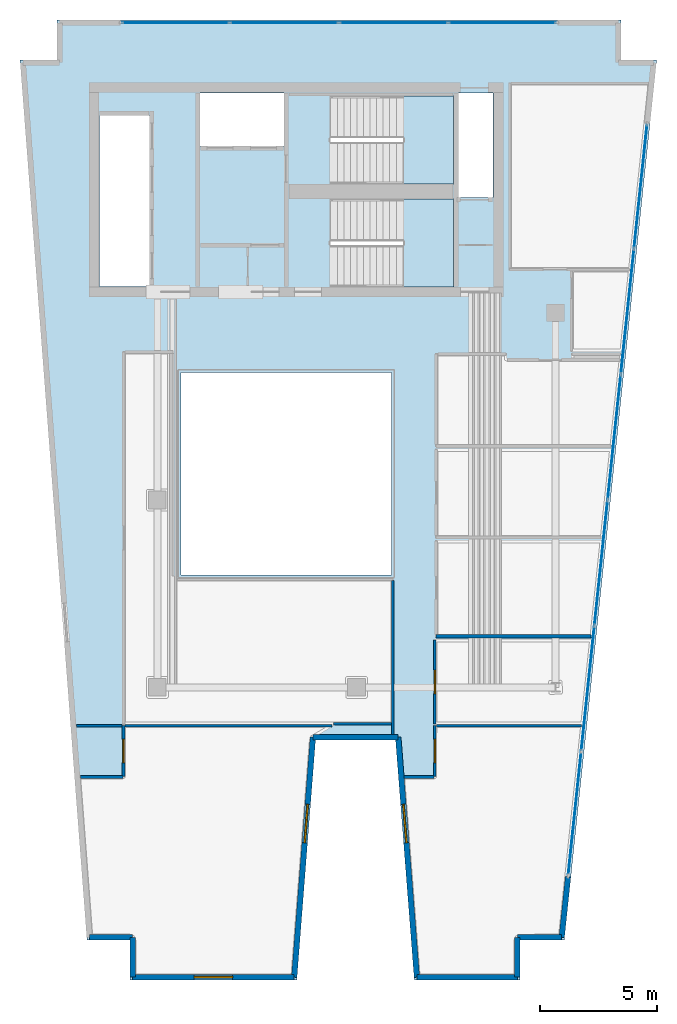
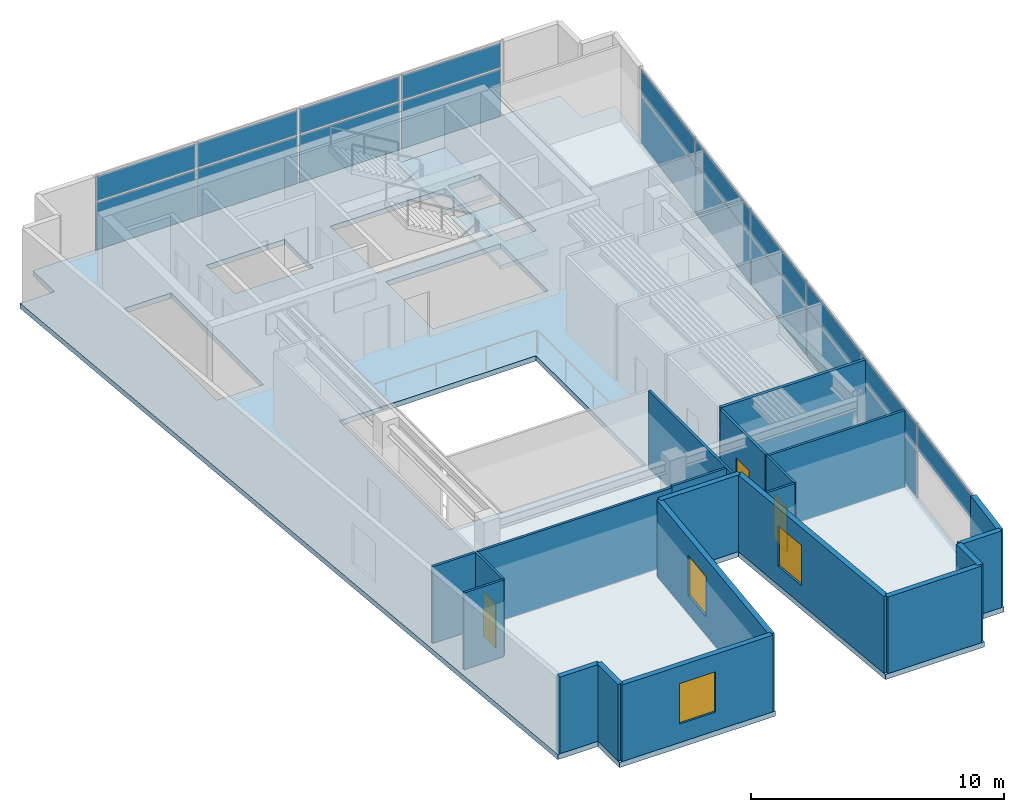
# One storey, part 2 of 6: 21 walls, 19 plates, 3 doors, 3 slabs, 3 windows, 6 openings, 4 elements without a shape of their own.
"""IFC4 building model written with IfcOpenShell, lengths in metres."""

from ifc_helpers import new_model, si_unit, direction, frame, frame_2d, origin, origin_2d, place, context, subcontext, project, spatial, polyline, rectangle, outline, extrude, material, layer, layer_set, type_object, element, fill, aggregate, save


model = new_model("IFC4")

# Units and contexts
model_context = context("Model", 3, precision=1e-05, world=origin(), true_north=direction((0.0, 1.0)))
body_context = subcontext(model_context, "Body", "Model", "MODEL_VIEW")
ifc_project = project(units=[si_unit("LENGTHUNIT", "METRE"), si_unit("AREAUNIT", "SQUARE_METRE"), si_unit("VOLUMEUNIT", "CUBIC_METRE"), si_unit("PLANEANGLEUNIT", "RADIAN"), si_unit("MASSUNIT", "GRAM", prefix="KILO")], contexts=[model_context])

# Site, building, storey
site_placement = place(None, origin())
site = spatial("IfcSite", under=ifc_project, at=site_placement, CompositionType="ELEMENT")
building_placement = place(site_placement, origin())
building = spatial("IfcBuilding", under=site, at=building_placement, Name="Caeloran Harvest Quay", CompositionType="ELEMENT")
storey_placement = place(building_placement, frame((0.0, 0.0, 280.39990234375)))
storey = spatial("IfcBuildingStorey", under=building, at=storey_placement, Name="L67", CompositionType="ELEMENT", Elevation=280.39990234375)

# Curtain wall, plates
ifc_material_1 = material(Name="Aluminium 6063-T6 and Low-E Glazing", Category="aluminium")
ifc_layer_1 = layer(ifc_material_1, 0.219970703125, Name="Aluminium 6063-T6 and Low-E Glazing")
ifc_layer_set_1 = layer_set([ifc_layer_1], Name="Aluminium 6063-T6 and Low-E Glazing")
curtain_wall_type = type_object("IfcCurtainWallType", Name="CW-SYS-CW-5", PredefinedType="USERDEFINED", material=ifc_layer_set_1)
curtain_wall_1_placement = place(storey_placement, origin())
curtain_wall_1 = element("IfcCurtainWall", 1, at=curtain_wall_1_placement, inside=storey, type_object=curtain_wall_type, Name="L67 Unitised Curtain Wall CW-5 Run 6", ObjectType="CURTAIN_WALL", PredefinedType="USERDEFINED")
ifc_material_2 = material(Name="Low-E Double Glazed Vision Glass Unit", Category="glass")
ifc_layer_2 = layer(ifc_material_2, 0.035888671875, Name="Low-E Double Glazed Vision Glass Unit")
ifc_layer_set_2 = layer_set([ifc_layer_2], Name="Low-E Double Glazed Vision Glass Unit")
plate_type = type_object("IfcPlateType", Name="CW-VISION-PANEL", PredefinedType="CURTAIN_PANEL", material=ifc_layer_set_2)
plate_1_placement = place(storey_placement, frame((9.2724609375, 43.3798828125, 0.080078125), z_axis=(0.0, 0.0, 1.0), x_axis=(1.0, 0.0, 0.0)))
plate_1 = element("IfcPlate", 2, at=plate_1_placement, type_object=plate_type, Name="CW-5 panel 1.1", PredefinedType="CURTAIN_PANEL", context=body_context, shape_type="SweptSolid", body=[
    extrude(rectangle(XDim=4.544921875, YDim=0.035888671875, at=origin_2d()), origin(), (0.0, 0.0, 1.0), 2.280029296875),
])
plate_2_placement = place(storey_placement, frame((9.2724609375, 43.3798828125, 2.43994140625), z_axis=(0.0, 0.0, 1.0), x_axis=(1.0, 0.0, 0.0)))
plate_2 = element("IfcPlate", 3, at=plate_2_placement, type_object=plate_type, Name="CW-5 panel 1.2", PredefinedType="CURTAIN_PANEL", context=body_context, shape_type="SweptSolid", body=[
    extrude(rectangle(XDim=4.544921875, YDim=0.035888671875, at=origin_2d()), origin(), (0.0, 0.0, 1.0), 1.179931640625),
])
plate_3_placement = place(storey_placement, frame((13.91748046875, 43.3798828125, 0.080078125), z_axis=(0.0, 0.0, 1.0), x_axis=(1.0, 0.0, 0.0)))
plate_3 = element("IfcPlate", 4, at=plate_3_placement, type_object=plate_type, Name="CW-5 panel 2.1", PredefinedType="CURTAIN_PANEL", context=body_context, shape_type="SweptSolid", body=[
    extrude(rectangle(XDim=4.5849609375, YDim=0.035888671875, at=origin_2d()), origin(), (0.0, 0.0, 1.0), 2.280029296875),
])
plate_4_placement = place(storey_placement, frame((13.91748046875, 43.3798828125, 2.43994140625), z_axis=(0.0, 0.0, 1.0), x_axis=(1.0, 0.0, 0.0)))
plate_4 = element("IfcPlate", 5, at=plate_4_placement, type_object=plate_type, Name="CW-5 panel 2.2", PredefinedType="CURTAIN_PANEL", context=body_context, shape_type="SweptSolid", body=[
    extrude(rectangle(XDim=4.5849609375, YDim=0.035888671875, at=origin_2d()), origin(), (0.0, 0.0, 1.0), 1.179931640625),
])
plate_5_placement = place(storey_placement, frame((18.58251953125, 43.3798828125, 0.080078125), z_axis=(0.0, 0.0, 1.0), x_axis=(1.0, 0.0, 0.0)))
plate_5 = element("IfcPlate", 6, at=plate_5_placement, type_object=plate_type, Name="CW-5 panel 3.1", PredefinedType="CURTAIN_PANEL", context=body_context, shape_type="SweptSolid", body=[
    extrude(rectangle(XDim=4.5849609375, YDim=0.035888671875, at=origin_2d()), origin(), (0.0, 0.0, 1.0), 2.280029296875),
])
plate_6_placement = place(storey_placement, frame((18.58251953125, 43.3798828125, 2.43994140625), z_axis=(0.0, 0.0, 1.0), x_axis=(1.0, 0.0, 0.0)))
plate_6 = element("IfcPlate", 7, at=plate_6_placement, type_object=plate_type, Name="CW-5 panel 3.2", PredefinedType="CURTAIN_PANEL", context=body_context, shape_type="SweptSolid", body=[
    extrude(rectangle(XDim=4.5849609375, YDim=0.035888671875, at=origin_2d()), origin(), (0.0, 0.0, 1.0), 1.179931640625),
])
plate_7_placement = place(storey_placement, frame((23.2275390625, 43.3798828125, 0.080078125), z_axis=(0.0, 0.0, 1.0), x_axis=(1.0, 0.0, 0.0)))
plate_7 = element("IfcPlate", 8, at=plate_7_placement, type_object=plate_type, Name="CW-5 panel 4.1", PredefinedType="CURTAIN_PANEL", context=body_context, shape_type="SweptSolid", body=[
    extrude(rectangle(XDim=4.544921875, YDim=0.035888671875, at=origin_2d()), origin(), (0.0, 0.0, 1.0), 2.280029296875),
])
plate_8_placement = place(storey_placement, frame((23.2275390625, 43.3798828125, 2.43994140625), z_axis=(0.0, 0.0, 1.0), x_axis=(1.0, 0.0, 0.0)))
plate_8 = element("IfcPlate", 9, at=plate_8_placement, type_object=plate_type, Name="CW-5 panel 4.2", PredefinedType="CURTAIN_PANEL", context=body_context, shape_type="SweptSolid", body=[
    extrude(rectangle(XDim=4.544921875, YDim=0.035888671875, at=origin_2d()), origin(), (0.0, 0.0, 1.0), 1.179931640625),
])
aggregate(curtain_wall_1, [plate_1, plate_2, plate_3, plate_4, plate_5, plate_6, plate_7, plate_8])

curtain_wall_2_placement = place(storey_placement, origin())
curtain_wall_2 = element("IfcCurtainWall", 10, at=curtain_wall_2_placement, inside=storey, type_object=curtain_wall_type, Name="L67 Unitised Curtain Wall CW-5 Run 9", ObjectType="CURTAIN_WALL", PredefinedType="USERDEFINED")
plate_9_placement = place(storey_placement, frame((29.132568359375, 36.391845703125, 0.080078125), z_axis=(0.0, 0.0, 1.0), x_axis=(-0.104460096251, -0.994529078655, 0.0)))
plate_9 = element("IfcPlate", 11, at=plate_9_placement, type_object=plate_type, Name="CW-5 panel 1.1", PredefinedType="CURTAIN_PANEL", context=body_context, shape_type="SweptSolid", body=[
    extrude(rectangle(XDim=5.274169921875, YDim=0.035888671875, at=origin_2d()), origin(), (0.0, 0.0, 1.0), 2.280029296875),
])
plate_10_placement = place(storey_placement, frame((29.132568359375, 36.391845703125, 2.43994140625), z_axis=(0.0, 0.0, 1.0), x_axis=(-0.104460096251, -0.994529078655, 0.0)))
plate_10 = element("IfcPlate", 12, at=plate_10_placement, type_object=plate_type, Name="CW-5 panel 1.2", PredefinedType="CURTAIN_PANEL", context=body_context, shape_type="SweptSolid", body=[
    extrude(rectangle(XDim=5.274169921875, YDim=0.035888671875, at=origin_2d()), origin(), (0.0, 0.0, 1.0), 1.179931640625),
])
plate_11_placement = place(storey_placement, frame((28.5712890625, 31.047119140625, 0.080078125), z_axis=(0.0, 0.0, 1.0), x_axis=(-0.104460096251, -0.994529078655, 0.0)))
plate_11 = element("IfcPlate", 13, at=plate_11_placement, type_object=plate_type, Name="CW-5 panel 2.1", PredefinedType="CURTAIN_PANEL", context=body_context, shape_type="SweptSolid", body=[
    extrude(rectangle(XDim=5.314208984375, YDim=0.035888671875, at=origin_2d()), origin(), (0.0, 0.0, 1.0), 2.280029296875),
])
plate_12_placement = place(storey_placement, frame((28.5712890625, 31.047119140625, 2.43994140625), z_axis=(0.0, 0.0, 1.0), x_axis=(-0.104460096251, -0.994529078655, 0.0)))
plate_12 = element("IfcPlate", 14, at=plate_12_placement, type_object=plate_type, Name="CW-5 panel 2.2", PredefinedType="CURTAIN_PANEL", context=body_context, shape_type="SweptSolid", body=[
    extrude(rectangle(XDim=5.314208984375, YDim=0.035888671875, at=origin_2d()), origin(), (0.0, 0.0, 1.0), 1.179931640625),
])
plate_13_placement = place(storey_placement, frame((28.0078125, 25.682373046875, 0.080078125), z_axis=(0.0, 0.0, 1.0), x_axis=(-0.104460096251, -0.994529078655, 0.0)))
plate_13 = element("IfcPlate", 15, at=plate_13_placement, type_object=plate_type, Name="CW-5 panel 3.1", PredefinedType="CURTAIN_PANEL", context=body_context, shape_type="SweptSolid", body=[
    extrude(rectangle(XDim=5.314208984375, YDim=0.035888671875, at=origin_2d()), origin(), (0.0, 0.0, 1.0), 2.280029296875),
])
plate_14_placement = place(storey_placement, frame((28.0078125, 25.682373046875, 2.43994140625), z_axis=(0.0, 0.0, 1.0), x_axis=(-0.104460096251, -0.994529078655, 0.0)))
plate_14 = element("IfcPlate", 16, at=plate_14_placement, type_object=plate_type, Name="CW-5 panel 3.2", PredefinedType="CURTAIN_PANEL", context=body_context, shape_type="SweptSolid", body=[
    extrude(rectangle(XDim=5.314208984375, YDim=0.035888671875, at=origin_2d()), origin(), (0.0, 0.0, 1.0), 1.179931640625),
])
plate_15_placement = place(storey_placement, frame((27.4443359375, 20.317626953125, 0.080078125), z_axis=(0.0, 0.0, 1.0), x_axis=(-0.104460096251, -0.994529078655, 0.0)))
plate_15 = element("IfcPlate", 17, at=plate_15_placement, type_object=plate_type, Name="CW-5 panel 4.1", PredefinedType="CURTAIN_PANEL", context=body_context, shape_type="SweptSolid", body=[
    extrude(rectangle(XDim=5.314208984375, YDim=0.035888671875, at=origin_2d()), origin(), (0.0, 0.0, 1.0), 2.280029296875),
])
plate_16_placement = place(storey_placement, frame((27.4443359375, 20.317626953125, 2.43994140625), z_axis=(0.0, 0.0, 1.0), x_axis=(-0.104460096251, -0.994529078655, 0.0)))
plate_16 = element("IfcPlate", 18, at=plate_16_placement, type_object=plate_type, Name="CW-5 panel 4.2", PredefinedType="CURTAIN_PANEL", context=body_context, shape_type="SweptSolid", body=[
    extrude(rectangle(XDim=5.314208984375, YDim=0.035888671875, at=origin_2d()), origin(), (0.0, 0.0, 1.0), 1.179931640625),
])
plate_17_placement = place(storey_placement, frame((26.880859375, 14.952880859375, 0.080078125), z_axis=(0.0, 0.0, 1.0), x_axis=(-0.104460096251, -0.994529078655, 0.0)))
plate_17 = element("IfcPlate", 19, at=plate_17_placement, type_object=plate_type, Name="CW-5 panel 5.1", PredefinedType="CURTAIN_PANEL", context=body_context, shape_type="SweptSolid", body=[
    extrude(rectangle(XDim=5.314208984375, YDim=0.035888671875, at=origin_2d()), origin(), (0.0, 0.0, 1.0), 2.280029296875),
])
plate_18_placement = place(storey_placement, frame((26.880859375, 14.952880859375, 2.43994140625), z_axis=(0.0, 0.0, 1.0), x_axis=(-0.104460096251, -0.994529078655, 0.0)))
plate_18 = element("IfcPlate", 20, at=plate_18_placement, type_object=plate_type, Name="CW-5 panel 5.2", PredefinedType="CURTAIN_PANEL", context=body_context, shape_type="SweptSolid", body=[
    extrude(rectangle(XDim=5.314208984375, YDim=0.035888671875, at=origin_2d()), origin(), (0.0, 0.0, 1.0), 1.179931640625),
])
plate_19_placement = place(storey_placement, frame((26.3193359375, 9.608154296875, 2.43994140625), z_axis=(0.0, 0.0, 1.0), x_axis=(-0.104460096251, -0.994529078655, 0.0)))
plate_19 = element("IfcPlate", 21, at=plate_19_placement, type_object=plate_type, Name="CW-5 panel 6.2", PredefinedType="CURTAIN_PANEL", context=body_context, shape_type="SweptSolid", body=[
    extrude(rectangle(XDim=5.274169921875, YDim=0.035888671875, at=origin_2d()), origin(), (0.0, 0.0, 1.0), 1.179931640625),
])
aggregate(curtain_wall_2, [plate_9, plate_10, plate_11, plate_12, plate_13, plate_14, plate_15, plate_16, plate_17, plate_18, plate_19])

# Slab
ifc_material_3 = material(Name="Concrete C50/60", Category="concrete")
ifc_layer_3 = layer(ifc_material_3, 0.25, Name="Concrete C50/60")
ifc_layer_set_3 = layer_set([ifc_layer_3], Name="Concrete C50/60")
slab_type_1 = type_object("IfcSlabType", Name="SLAB-FS-250", PredefinedType="FLOOR", material=ifc_layer_set_3)
slab_1_placement = place(storey_placement, frame((0.0, 0.0, -0.25)))
element("IfcSlab", 22, at=slab_1_placement, inside=storey, type_object=slab_type_1, Name="L67 Structural Floor Slab", PredefinedType="FLOOR", context=body_context, shape_type="SweptSolid", body=[
    extrude(outline(polyline([(7.318603515625, 2.5), (14.451416015625, 2.5), (15.25146484375, 12.75), (18.670166015625, 12.75), (19.47021484375, 2.5), (23.993408203125, 2.5), (23.993408203125, 4.199951171875), (25.8720703125, 4.199951171875), (29.8212890625, 41.800048828125), (28.300048828125, 41.800048828125), (28.300048828125, 43.5), (4.199951171875, 43.5), (4.199951171875, 41.800048828125), (2.62939453125, 41.800048828125), (5.4892578125, 4.199951171875), (7.318603515625, 4.199951171875), (7.318603515625, 2.5)]), holes=[polyline([(18.5, 28.449951171875), (18.5, 19.800048828125), (9.5, 19.800048828125), (9.5, 28.449951171875), (18.5, 28.449951171875)]), polyline([(15.89990234375, 32.10009765625), (15.89990234375, 35.85009765625), (21.14990234375, 35.85009765625), (21.14990234375, 32.10009765625), (15.89990234375, 32.10009765625)]), polyline([(8.159912109375, 32.1201171875), (6.02001953125, 32.1201171875), (6.02001953125, 39.419921875), (8.159912109375, 39.419921875), (8.159912109375, 32.1201171875)]), polyline([(22.830078125, 40.3798828125), (22.830078125, 35.919921875), (21.35009765625, 35.919921875), (21.35009765625, 40.3798828125), (22.830078125, 40.3798828125)]), polyline([(15.89990234375, 36.5), (15.89990234375, 40.25), (21.14990234375, 40.25), (21.14990234375, 36.5), (15.89990234375, 36.5)]), polyline([(13.89990234375, 38.1201171875), (10.320068359375, 38.1201171875), (10.320068359375, 40.3798828125), (13.89990234375, 40.3798828125), (13.89990234375, 38.1201171875)])]), origin(), (0.0, 0.0, 1.0), 0.25),
])

# Stair, slab
stair_type = type_object("IfcStairType", Name="STAIR-STC-180", PredefinedType="HALF_TURN_STAIR", material=ifc_material_3)
stair_1_placement = place(storey_placement, origin())
stair_1 = element("IfcStair", 23, at=stair_1_placement, inside=storey, type_object=stair_type, Name="L67 Core Pressurized Exit Stair ST-C1", PredefinedType="HALF_TURN_STAIR")
ifc_layer_4 = layer(ifc_material_3, 0.219970703125, Name="Concrete C50/60")
ifc_layer_set_4 = layer_set([ifc_layer_4], Name="Concrete C50/60")
slab_type_2 = type_object("IfcSlabType", Name="STAIR-LANDING-220", PredefinedType="LANDING", material=ifc_layer_set_4)
slab_2_placement = place(storey_placement, frame((0.0, 0.0, 1.775146484375)))
slab_2 = element("IfcSlab", 24, at=slab_2_placement, type_object=slab_type_2, Name="ST-C1 landing 1", PredefinedType="LANDING", context=body_context, shape_type="SweptSolid", body=[
    extrude(outline(polyline([(18.97998046875, 36.5), (21.14990234375, 36.5), (21.14990234375, 40.25), (18.97998046875, 40.25), (18.97998046875, 36.5)])), origin(), (0.0, 0.0, 1.0), 0.199951171875),
])
aggregate(stair_1, [slab_2])

stair_2_placement = place(storey_placement, origin())
stair_2 = element("IfcStair", 25, at=stair_2_placement, inside=storey, type_object=stair_type, Name="L67 Core Pressurized Exit Stair ST-C2", PredefinedType="HALF_TURN_STAIR")
slab_3_placement = place(storey_placement, frame((0.0, 0.0, 1.775146484375)))
slab_3 = element("IfcSlab", 26, at=slab_3_placement, type_object=slab_type_2, Name="ST-C2 landing 1", PredefinedType="LANDING", context=body_context, shape_type="SweptSolid", body=[
    extrude(outline(polyline([(18.97998046875, 32.10009765625), (21.14990234375, 32.10009765625), (21.14990234375, 35.85009765625), (18.97998046875, 35.85009765625), (18.97998046875, 32.10009765625)])), origin(), (0.0, 0.0, 1.0), 0.199951171875),
])
aggregate(stair_2, [slab_3])

# Walls
ifc_material_4 = material(Name="Precast concrete C50/60", Category="concrete")
ifc_layer_5 = layer(ifc_material_4, 0.239990234375, Name="Precast concrete C50/60")
ifc_layer_set_5 = layer_set([ifc_layer_5], Name="Precast concrete C50/60")
wall_type_1 = type_object("IfcWallType", Name="ENV-WALL-EW-240", PredefinedType="STANDARD", material=ifc_layer_set_5)
wall_1_placement = place(storey_placement, frame((7.4384765625, 2.6201171875, 0.0), z_axis=(0.0, 0.0, 1.0), x_axis=(0.0, 1.0, 0.0)))
element("IfcWall", 27, at=wall_1_placement, inside=storey, type_object=wall_type_1, Name="L67 Exterior Precast Concrete Facade Wall 1", PredefinedType="STANDARD", context=body_context, shape_type="SweptSolid", body=[
    extrude(rectangle(XDim=1.699951171875, YDim=0.239990234375, at=frame_2d((0.85009765625, 0.0))), origin(), (0.0, 0.0, 1.0), 3.7001953125),
])
wall_2_placement = place(storey_placement, frame((7.4384765625, 4.320068359375, 0.0), z_axis=(0.0, 0.0, 1.0), x_axis=(-1.0, 0.0, 0.0)))
element("IfcWall", 28, at=wall_2_placement, inside=storey, type_object=wall_type_1, Name="L67 Exterior Precast Concrete Facade Wall 2", PredefinedType="STANDARD", context=body_context, shape_type="SweptSolid", body=[
    extrude(rectangle(XDim=1.838134765625, YDim=0.239990234375, at=frame_2d((0.9189453125, 0.0))), origin(), (0.0, 0.0, 1.0), 3.7001953125),
])
wall_3_placement = place(storey_placement, frame((26.03564453125, 6.90576171875, 0.0), z_axis=(0.0, 0.0, 1.0), x_axis=(-0.104513699976, -0.994523446942, 0.0)))
element("IfcWall", 29, at=wall_3_placement, inside=storey, type_object=wall_type_1, Name="L67 Exterior Facade Corner Pier Wall 9B", PredefinedType="STANDARD", context=body_context, shape_type="SweptSolid", body=[
    extrude(rectangle(XDim=2.599853515625, YDim=0.239990234375, at=frame_2d((1.2998046875, 0.0))), origin(), (0.0, 0.0, 1.0), 3.7001953125),
])
wall_4_placement = place(storey_placement, frame((25.763916015625, 4.320068359375, 0.0), z_axis=(0.0, 0.0, 1.0), x_axis=(-1.0, 0.0, 0.0)))
element("IfcWall", 30, at=wall_4_placement, inside=storey, type_object=wall_type_1, Name="L67 Exterior Precast Concrete Facade Wall 10", PredefinedType="STANDARD", context=body_context, shape_type="SweptSolid", body=[
    extrude(rectangle(XDim=1.890380859375, YDim=0.239990234375, at=frame_2d((0.9453125, 0.0))), origin(), (0.0, 0.0, 1.0), 3.7001953125),
])
wall_5_placement = place(storey_placement, frame((23.87353515625, 4.320068359375, 0.0), z_axis=(0.0, 0.0, 1.0), x_axis=(0.0, -1.0, 0.0)))
element("IfcWall", 31, at=wall_5_placement, inside=storey, type_object=wall_type_1, Name="L67 Exterior Precast Concrete Facade Wall 11", PredefinedType="STANDARD", context=body_context, shape_type="SweptSolid", body=[
    extrude(rectangle(XDim=1.699951171875, YDim=0.239990234375, at=frame_2d((0.85009765625, 0.0))), origin(), (0.0, 0.0, 1.0), 3.7001953125),
])
wall_6_placement = place(storey_placement, frame((23.87353515625, 2.6201171875, 0.0), z_axis=(0.0, 0.0, 1.0), x_axis=(-1.0, 0.0, 0.0)))
element("IfcWall", 32, at=wall_6_placement, inside=storey, type_object=wall_type_1, Name="L67 Exterior Precast Concrete Facade Wall 12", PredefinedType="STANDARD", context=body_context, shape_type="SweptSolid", body=[
    extrude(rectangle(XDim=4.292236328125, YDim=0.239990234375, at=frame_2d((2.14599609375, 0.0))), origin(), (0.0, 0.0, 1.0), 3.7001953125),
])

# Wall, opening, window
wall_7_placement = place(storey_placement, frame((19.581298828125, 2.6201171875, 0.0), z_axis=(0.0, 0.0, 1.0), x_axis=(-0.077816860153, 0.996967670627, 0.0)))
wall_7 = element("IfcWall", 33, at=wall_7_placement, inside=storey, type_object=wall_type_1, Name="L67 Exterior Precast Concrete Facade Wall 13", PredefinedType="STANDARD", context=body_context, shape_type="SweptSolid", body=[
    extrude(rectangle(XDim=10.28125, YDim=0.239990234375, at=frame_2d((5.140625, 0.0))), origin(), (0.0, 0.0, 1.0), 3.7001953125),
])
opening_1_placement = place(wall_7_placement, frame((5.7548828125, 0.0, 0.89990234375)))
opening_1 = element("IfcOpeningElement", 34, at=opening_1_placement, cuts=wall_7, Name="Opening W-08", PredefinedType="OPENING", context=body_context, shape_type="SweptSolid", body=[
    extrude(rectangle(XDim=1.64990234375, YDim=1.949951171875, at=frame_2d((0.824951171875, 0.97509765625))), frame((0.0, 0.1298828125, 0.0), z_axis=(0.0, -1.0, 0.0), x_axis=(1.0, 0.0, 0.0)), (0.0, 0.0, 1.0), 0.260009765625),
])
ifc_material_5 = material(Name="Aluminium-Framed Low-E Laminated Glass", Category="aluminium")
window_type = type_object("IfcWindowType", Name="WIN-W-08", PartitioningType="SINGLE_PANEL", PredefinedType="WINDOW", material=ifc_material_5)
window_1_placement = place(opening_1_placement, origin())
window_1 = element("IfcWindow", 35, at=window_1_placement, inside=storey, type_object=window_type, Name="L67 Facade Punched Window W-08", OverallHeight=1.949951171875, OverallWidth=1.64990234375, PartitioningType="SINGLE_PANEL", PredefinedType="WINDOW", context=body_context, shape_type="SweptSolid", body=[
    extrude(rectangle(XDim=1.64990234375, YDim=1.949951171875, at=frame_2d((0.824951171875, 0.97509765625))), frame((0.0, 0.030029296875, 0.0), z_axis=(0.0, -1.0, 0.0), x_axis=(1.0, 0.0, 0.0)), (0.0, 0.0, 1.0), 0.06005859375),
])
fill(opening_1, window_1)

# Wall
wall_8_placement = place(storey_placement, frame((18.78125, 12.8701171875, 0.0), z_axis=(0.0, 0.0, 1.0), x_axis=(-1.0, 0.0, 0.0)))
element("IfcWall", 36, at=wall_8_placement, inside=storey, type_object=wall_type_1, Name="L67 Exterior Precast Concrete Facade Wall 14", PredefinedType="STANDARD", context=body_context, shape_type="SweptSolid", body=[
    extrude(rectangle(XDim=3.640869140625, YDim=0.239990234375, at=frame_2d((1.8203125, 0.0))), origin(), (0.0, 0.0, 1.0), 3.7001953125),
])

# Wall, opening, window
wall_9_placement = place(storey_placement, frame((15.140380859375, 12.8701171875, 0.0), z_axis=(0.0, 0.0, 1.0), x_axis=(-0.077793257511, -0.996969512616, 0.0)))
wall_9 = element("IfcWall", 37, at=wall_9_placement, inside=storey, type_object=wall_type_1, Name="L67 Exterior Precast Concrete Facade Wall 15", PredefinedType="STANDARD", context=body_context, shape_type="SweptSolid", body=[
    extrude(rectangle(XDim=10.28125, YDim=0.239990234375, at=frame_2d((5.140625, 0.0))), origin(), (0.0, 0.0, 1.0), 3.7001953125),
])
opening_2_placement = place(wall_9_placement, frame((2.8759765625, 0.0, 0.89990234375)))
opening_2 = element("IfcOpeningElement", 38, at=opening_2_placement, cuts=wall_9, Name="Opening W-08", PredefinedType="OPENING", context=body_context, shape_type="SweptSolid", body=[
    extrude(rectangle(XDim=1.64990234375, YDim=1.949951171875, at=frame_2d((0.824951171875, 0.97509765625))), frame((0.0, 0.1298828125, 0.0), z_axis=(0.0, -1.0, 0.0), x_axis=(1.0, 0.0, 0.0)), (0.0, 0.0, 1.0), 0.260009765625),
])
window_2_placement = place(opening_2_placement, origin())
window_2 = element("IfcWindow", 39, at=window_2_placement, inside=storey, type_object=window_type, Name="L67 Facade Punched Window W-08", OverallHeight=1.949951171875, OverallWidth=1.64990234375, PartitioningType="SINGLE_PANEL", PredefinedType="WINDOW", context=body_context, shape_type="SweptSolid", body=[
    extrude(rectangle(XDim=1.64990234375, YDim=1.949951171875, at=frame_2d((0.824951171875, 0.97509765625))), frame((0.0, 0.030029296875, 0.0), z_axis=(0.0, -1.0, 0.0), x_axis=(1.0, 0.0, 0.0)), (0.0, 0.0, 1.0), 0.06005859375),
])
fill(opening_2, window_2)

wall_10_placement = place(storey_placement, frame((14.340576171875, 2.6201171875, 0.0), z_axis=(0.0, 0.0, 1.0), x_axis=(-1.0, 0.0, 0.0)))
wall_10 = element("IfcWall", 40, at=wall_10_placement, inside=storey, type_object=wall_type_1, Name="L67 Exterior Precast Concrete Facade Wall 16", PredefinedType="STANDARD", context=body_context, shape_type="SweptSolid", body=[
    extrude(rectangle(XDim=6.902099609375, YDim=0.239990234375, at=frame_2d((3.451171875, 0.0))), origin(), (0.0, 0.0, 1.0), 3.7001953125),
])
opening_3_placement = place(wall_10_placement, frame((2.6259765625, 0.0, 0.89990234375)))
opening_3 = element("IfcOpeningElement", 41, at=opening_3_placement, cuts=wall_10, Name="Opening W-08", PredefinedType="OPENING", context=body_context, shape_type="SweptSolid", body=[
    extrude(rectangle(XDim=1.64990234375, YDim=1.949951171875, at=frame_2d((0.824951171875, 0.97509765625))), frame((0.0, 0.1298828125, 0.0), z_axis=(0.0, -1.0, 0.0), x_axis=(1.0, 0.0, 0.0)), (0.0, 0.0, 1.0), 0.260009765625),
])
window_3_placement = place(opening_3_placement, origin())
window_3 = element("IfcWindow", 42, at=window_3_placement, inside=storey, type_object=window_type, Name="L67 Facade Punched Window W-08", OverallHeight=1.949951171875, OverallWidth=1.64990234375, PartitioningType="SINGLE_PANEL", PredefinedType="WINDOW", context=body_context, shape_type="SweptSolid", body=[
    extrude(rectangle(XDim=1.64990234375, YDim=1.949951171875, at=frame_2d((0.824951171875, 0.97509765625))), frame((0.0, 0.030029296875, 0.0), z_axis=(0.0, -1.0, 0.0), x_axis=(1.0, 0.0, 0.0)), (0.0, 0.0, 1.0), 0.06005859375),
])
fill(opening_3, window_3)

# Wall
ifc_material_6 = material(Name="Single-Stud Acoustic Gypsum Office Partition", Category="gypsum")
ifc_layer_6 = layer(ifc_material_6, 0.112060546875, Name="Single-Stud Acoustic Gypsum Office Partition")
ifc_layer_set_6 = layer_set([ifc_layer_6], Name="Single-Stud Acoustic Gypsum Office Partition")
wall_type_2 = type_object("IfcWallType", Name="INT-WALL-PW-112", PredefinedType="PARTITIONING", material=ifc_layer_set_6)
wall_11_placement = place(storey_placement, frame((5.204833984375, 11.169921875, 0.0), z_axis=(0.0, 0.0, 1.0), x_axis=(1.0, 0.0, 0.0)))
element("IfcWall", 43, at=wall_11_placement, inside=storey, type_object=wall_type_2, Name="Executive Sky-Floor Office Partition Wall", PredefinedType="PARTITIONING", context=body_context, shape_type="SweptSolid", body=[
    extrude(rectangle(XDim=1.815185546875, YDim=0.112060546875, at=frame_2d((0.90771484375, 0.0))), origin(), (0.0, 0.0, 1.0), 3.7001953125),
])

# Wall, opening, door
wall_12_placement = place(storey_placement, frame((7.050048828125, 11.199951171875, 0.0), z_axis=(0.0, 0.0, 1.0), x_axis=(0.0, 1.0, 0.0)))
wall_12 = element("IfcWall", 44, at=wall_12_placement, inside=storey, type_object=wall_type_2, Name="Executive Sky-Floor Office Partition Wall", PredefinedType="PARTITIONING", context=body_context, shape_type="SweptSolid", body=[
    extrude(rectangle(XDim=2.16015625, YDim=0.112060546875, at=frame_2d((1.080078125, 0.0))), origin(), (0.0, 0.0, 1.0), 3.7001953125),
])
opening_4_placement = place(wall_12_placement, frame((0.580078125, 0.0, 0.0)))
opening_4 = element("IfcOpeningElement", 45, at=opening_4_placement, cuts=wall_12, Name="Opening ID-01", PredefinedType="OPENING", context=body_context, shape_type="SweptSolid", body=[
    extrude(rectangle(XDim=1.0, YDim=2.14990234375, at=frame_2d((0.5, 1.074951171875))), frame((0.0, 0.06591796875, 0.0), z_axis=(0.0, -1.0, 0.0), x_axis=(1.0, 0.0, 0.0)), (0.0, 0.0, 1.0), 0.132080078125),
])
ifc_material_7 = material(Name="FSC Solid-Core Ash Timber and Acoustic Seal", Category="wood")
door_type = type_object("IfcDoorType", Name="INTDOOR-ID-01", OperationType="NOTDEFINED", PredefinedType="DOOR", material=ifc_material_7)
door_1_placement = place(opening_4_placement, origin())
door_1 = element("IfcDoor", 46, at=door_1_placement, inside=storey, type_object=door_type, Name="Executive Sky-Floor Office Access Door", OperationType="SINGLE_SWING_LEFT", OverallHeight=2.14990234375, OverallWidth=1.0, PredefinedType="DOOR", context=body_context, shape_type="SweptSolid", body=[
    extrude(rectangle(XDim=1.0, YDim=2.14990234375, at=frame_2d((0.5, 1.074951171875))), frame((0.0, 0.02490234375, 0.0), z_axis=(0.0, -1.0, 0.0), x_axis=(1.0, 0.0, 0.0)), (0.0, 0.0, 1.0), 0.050048828125),
])
fill(opening_4, door_1)

# Walls
wall_13_placement = place(storey_placement, frame((5.0380859375, 13.360107421875, 0.0), z_axis=(0.0, 0.0, 1.0), x_axis=(1.0, 0.0, 0.0)))
element("IfcWall", 47, at=wall_13_placement, inside=storey, type_object=wall_type_2, Name="Executive Sky-Floor Office Partition Wall", PredefinedType="PARTITIONING", context=body_context, shape_type="SweptSolid", body=[
    extrude(rectangle(XDim=1.950927734375, YDim=0.112060546875, at=frame_2d((0.9755859375, 0.0))), origin(), (0.0, 0.0, 1.0), 3.7001953125),
])
wall_14_placement = place(storey_placement, frame((7.111083984375, 13.360107421875, 0.0), z_axis=(0.0, 0.0, 1.0), x_axis=(1.0, 0.0, 0.0)))
element("IfcWall", 48, at=wall_14_placement, inside=storey, type_object=wall_type_2, Name="Executive Sky-Floor Office Partition Wall", PredefinedType="PARTITIONING", context=body_context, shape_type="SweptSolid", body=[
    extrude(rectangle(XDim=8.8408203125, YDim=0.112060546875, at=frame_2d((4.42041015625, 0.0))), origin(), (0.0, 0.0, 1.0), 3.7001953125),
])
wall_15_placement = place(storey_placement, frame((19.039306640625, 11.169921875, 0.0), z_axis=(0.0, 0.0, 1.0), x_axis=(1.0, 0.0, 0.0)))
element("IfcWall", 49, at=wall_15_placement, inside=storey, type_object=wall_type_2, Name="Strategic Foresight Laboratory Partition Wall", PredefinedType="PARTITIONING", context=body_context, shape_type="SweptSolid", body=[
    extrude(rectangle(XDim=1.28076171875, YDim=0.112060546875, at=frame_2d((0.640380859375, 0.0))), origin(), (0.0, 0.0, 1.0), 3.7001953125),
])

# Wall, opening, door
wall_16_placement = place(storey_placement, frame((20.35009765625, 11.199951171875, 0.0), z_axis=(0.0, 0.0, 1.0), x_axis=(0.0, 1.0, 0.0)))
wall_16 = element("IfcWall", 50, at=wall_16_placement, inside=storey, type_object=wall_type_2, Name="Strategic Foresight Laboratory Partition Wall", PredefinedType="PARTITIONING", context=body_context, shape_type="SweptSolid", body=[
    extrude(rectangle(XDim=2.16015625, YDim=0.112060546875, at=frame_2d((1.080078125, 0.0))), origin(), (0.0, 0.0, 1.0), 3.7001953125),
])
opening_5_placement = place(wall_16_placement, frame((0.580078125, 0.0, 0.0)))
opening_5 = element("IfcOpeningElement", 51, at=opening_5_placement, cuts=wall_16, Name="Opening ID-01", PredefinedType="OPENING", context=body_context, shape_type="SweptSolid", body=[
    extrude(rectangle(XDim=1.0, YDim=2.14990234375, at=frame_2d((0.5, 1.074951171875))), frame((0.0, 0.06591796875, 0.0), z_axis=(0.0, -1.0, 0.0), x_axis=(1.0, 0.0, 0.0)), (0.0, 0.0, 1.0), 0.132080078125),
])
door_2_placement = place(opening_5_placement, origin())
door_2 = element("IfcDoor", 52, at=door_2_placement, inside=storey, type_object=door_type, Name="Strategic Foresight Laboratory Access Door", OperationType="SINGLE_SWING_RIGHT", OverallHeight=2.14990234375, OverallWidth=1.0, PredefinedType="DOOR", context=body_context, shape_type="SweptSolid", body=[
    extrude(rectangle(XDim=1.0, YDim=2.14990234375, at=frame_2d((0.5, 1.074951171875))), frame((0.0, 0.02490234375, 0.0), z_axis=(0.0, -1.0, 0.0), x_axis=(1.0, 0.0, 0.0)), (0.0, 0.0, 1.0), 0.050048828125),
])
fill(opening_5, door_2)

# Wall
wall_17_placement = place(storey_placement, frame((20.410888671875, 13.360107421875, 0.0), z_axis=(0.0, 0.0, 1.0), x_axis=(1.0, 0.0, 0.0)))
element("IfcWall", 53, at=wall_17_placement, inside=storey, type_object=wall_type_2, Name="Strategic Foresight Laboratory Partition Wall", PredefinedType="PARTITIONING", context=body_context, shape_type="SweptSolid", body=[
    extrude(rectangle(XDim=6.197021484375, YDim=0.112060546875, at=frame_2d((3.0986328125, 0.0))), origin(), (0.0, 0.0, 1.0), 3.7001953125),
])

# Wall, opening, door
wall_18_placement = place(storey_placement, frame((20.35009765625, 13.43994140625, 0.0), z_axis=(0.0, 0.0, 1.0), x_axis=(0.0, 1.0, 0.0)))
wall_18 = element("IfcWall", 54, at=wall_18_placement, inside=storey, type_object=wall_type_2, Name="Chairman Corner Office Partition Wall", PredefinedType="PARTITIONING", context=body_context, shape_type="SweptSolid", body=[
    extrude(rectangle(XDim=3.580078125, YDim=0.112060546875, at=frame_2d((1.7900390625, 0.0))), origin(), (0.0, 0.0, 1.0), 3.7001953125),
])
opening_6_placement = place(wall_18_placement, frame((1.2900390625, 0.0, 0.0)))
opening_6 = element("IfcOpeningElement", 55, at=opening_6_placement, cuts=wall_18, Name="Opening ID-01", PredefinedType="OPENING", context=body_context, shape_type="SweptSolid", body=[
    extrude(rectangle(XDim=1.0, YDim=2.14990234375, at=frame_2d((0.5, 1.074951171875))), frame((0.0, 0.06591796875, 0.0), z_axis=(0.0, -1.0, 0.0), x_axis=(1.0, 0.0, 0.0)), (0.0, 0.0, 1.0), 0.132080078125),
])
door_3_placement = place(opening_6_placement, origin())
door_3 = element("IfcDoor", 56, at=door_3_placement, inside=storey, type_object=door_type, Name="Chairman Corner Office Access Door", OperationType="SINGLE_SWING_LEFT", OverallHeight=2.14990234375, OverallWidth=1.0, PredefinedType="DOOR", context=body_context, shape_type="SweptSolid", body=[
    extrude(rectangle(XDim=1.0, YDim=2.14990234375, at=frame_2d((0.5, 1.074951171875))), frame((0.0, 0.02490234375, 0.0), z_axis=(0.0, -1.0, 0.0), x_axis=(1.0, 0.0, 0.0)), (0.0, 0.0, 1.0), 0.050048828125),
])
fill(opening_6, door_3)

# Walls
wall_19_placement = place(storey_placement, frame((18.550048828125, 19.55908203125, 0.0), z_axis=(0.0, 0.0, 1.0), x_axis=(0.0, -1.0, 0.0)))
element("IfcWall", 57, at=wall_19_placement, inside=storey, type_object=wall_type_2, Name="Managing Principal Office Partition Wall", PredefinedType="PARTITIONING", context=body_context, shape_type="SweptSolid", body=[
    extrude(rectangle(XDim=6.56396484375, YDim=0.112060546875, at=frame_2d((3.281982421875, 0.0))), origin(), (0.0, 0.0, 1.0), 3.7001953125),
])
wall_20_placement = place(storey_placement, frame((18.489013671875, 13.43994140625, 0.0), z_axis=(0.0, 0.0, 1.0), x_axis=(-1.0, 0.0, 0.0)))
element("IfcWall", 58, at=wall_20_placement, inside=storey, type_object=wall_type_2, Name="Managing Principal Office Partition Wall", PredefinedType="PARTITIONING", context=body_context, shape_type="SweptSolid", body=[
    extrude(rectangle(XDim=2.4736328125, YDim=0.112060546875, at=frame_2d((1.23681640625, 0.0))), origin(), (0.0, 0.0, 1.0), 3.7001953125),
])
ifc_material_8 = material(Name="Moisture-Resistant Cement-Board Sanitary Partition", Category="gypsum")
ifc_layer_7 = layer(ifc_material_8, 0.139892578125, Name="Moisture-Resistant Cement-Board Sanitary Partition")
ifc_layer_set_7 = layer_set([ifc_layer_7], Name="Moisture-Resistant Cement-Board Sanitary Partition")
wall_type_3 = type_object("IfcWallType", Name="INT-WALL-PW-140", PredefinedType="PARTITIONING", material=ifc_layer_set_7)
wall_21_placement = place(storey_placement, frame((27.00927734375, 17.179931640625, 0.0), z_axis=(0.0, 0.0, 1.0), x_axis=(-1.0, 0.0, 0.0)))
element("IfcWall", 59, at=wall_21_placement, inside=storey, type_object=wall_type_3, Name="L67 Accessible Unisex Washroom WC Partition Wall", PredefinedType="PARTITIONING", context=body_context, shape_type="SweptSolid", body=[
    extrude(rectangle(XDim=6.609375, YDim=0.139892578125, at=frame_2d((3.3046875, 0.0))), origin(), (0.0, 0.0, 1.0), 3.7001953125),
])

save(model, "model.ifc")
